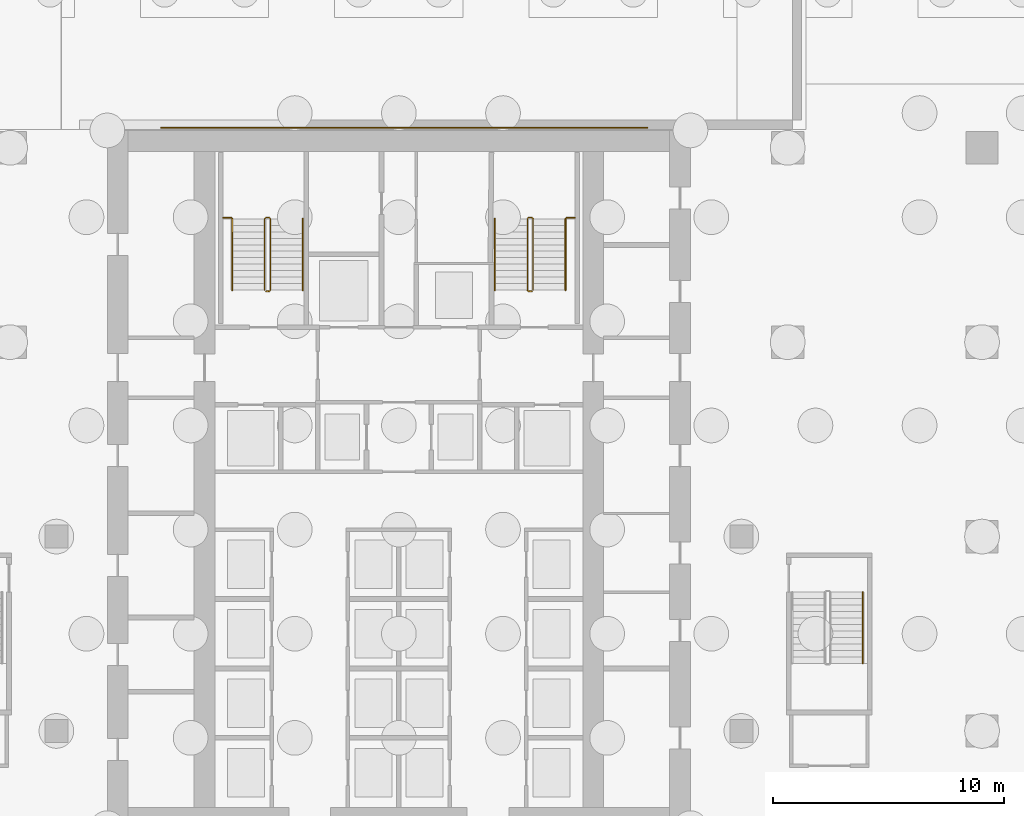
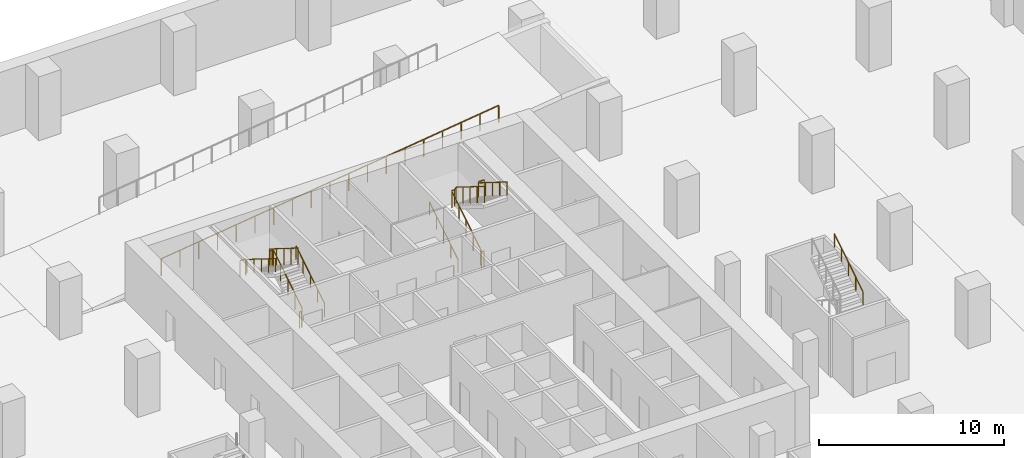
# One storey, part 18 of 22: 10 railings.
"""IFC4 building model written with IfcOpenShell, lengths in metres."""

import ifcopenshell
import ifcopenshell.guid

model = None  # the IFC model being written
_history = None  # IfcOwnerHistory: only IFC2X3 demands one
_inside = {}  # id of a spatial element -> (the spatial element, [elements in it])
_under = {}  # id of a project, library or spatial element -> (it, [spatial elements below it])
_declared = {}  # id of a project -> (the project, [libraries it declares])
_typed = {}  # id of a type object -> (the type object, [elements of that type])
_made_of = {}  # id of a material, layer set ... -> (it, [elements and type objects made of it])


def new_model(schema):
    """Start an empty IFC model of exactly this schema.

    Asked for "IFC4X3", IfcOpenShell would pick the latest addendum, in which some entities
    have other attributes; the version numbers below select the first issue.
    IFC2X3 requires an IfcOwnerHistory on every rooted entity: one is made here for all.
    """
    global model, _history
    if schema == "IFC4X3":
        model = ifcopenshell.file(schema_version=(4, 3, 0, 0))
    else:
        model = ifcopenshell.file(schema=schema)
    _inside.clear()
    _under.clear()
    _declared.clear()
    _typed.clear()
    _made_of.clear()
    _history = None
    if model.schema == "IFC2X3":
        org = make("IfcOrganization", Name="unknown")
        user = make(
            "IfcPersonAndOrganization",
            ThePerson=make("IfcPerson", FamilyName="unknown"),
            TheOrganization=org,
        )
        app = make(
            "IfcApplication",
            ApplicationDeveloper=org,
            Version="unknown",
            ApplicationFullName="unknown",
            ApplicationIdentifier="unknown",
        )
        _history = make(
            "IfcOwnerHistory",
            OwningUser=user,
            OwningApplication=app,
            ChangeAction="ADDED",
            CreationDate=0,
        )
    return model


def make(cls, **values):
    """One entity of the class cls with the attributes given. An attribute that is None is left unset."""
    return model.create_entity(
        cls, **{name: value for name, value in values.items() if value is not None}
    )


def rooted(cls, **values):
    """An entity with a GlobalId (a new one), such as an element, a storey or a relation."""
    return make(cls, GlobalId=ifcopenshell.guid.new(), OwnerHistory=_history, **values)


def si_unit(unit_type, name, prefix=None):
    """IfcSIUnit, for example si_unit("LENGTHUNIT", "METRE", prefix="MILLI")."""
    return make("IfcSIUnit", UnitType=unit_type, Prefix=prefix, Name=name)


def assignment(units):
    """IfcUnitAssignment: the units of a project."""
    return None if units is None else make("IfcUnitAssignment", Units=units)


def point(xyz):
    """IfcCartesianPoint."""
    return None if xyz is None else make("IfcCartesianPoint", Coordinates=xyz)


def direction(xyz):
    """IfcDirection."""
    return None if xyz is None else make("IfcDirection", DirectionRatios=xyz)


def frame(location, z_axis=None, x_axis=None):
    """IfcAxis2Placement3D, a coordinate frame: its origin and axes. An axis left out is left unset."""
    return make(
        "IfcAxis2Placement3D",
        Location=point(location),
        Axis=direction(z_axis),
        RefDirection=direction(x_axis),
    )


def frame_2d(location, x_axis=None):
    """IfcAxis2Placement2D, a coordinate frame in the plane: its origin and x axis."""
    return make(
        "IfcAxis2Placement2D", Location=point(location), RefDirection=direction(x_axis)
    )


def origin():
    """The frame at (0, 0, 0) with its axes left unset."""
    return frame((0.0, 0.0, 0.0))


def origin_2d():
    """The frame at (0, 0) in the plane with its x axis left unset."""
    return frame_2d((0.0, 0.0))


def place(relative_to, where):
    """IfcLocalPlacement: puts the frame where relative to a parent placement (None: the world)."""
    return make(
        "IfcLocalPlacement", PlacementRelTo=relative_to, RelativePlacement=where
    )


def context(
    kind, dimensions, precision=None, world=None, true_north=None, identifier=None
):
    """IfcGeometricRepresentationContext, for example the 3D "Model" context."""
    return make(
        "IfcGeometricRepresentationContext",
        ContextIdentifier=identifier,
        ContextType=kind,
        CoordinateSpaceDimension=dimensions,
        Precision=precision,
        WorldCoordinateSystem=world,
        TrueNorth=true_north,
    )


def subcontext(parent, identifier, kind, view, scale=None):
    """IfcGeometricRepresentationSubContext, for example "Body" below "Model"."""
    return make(
        "IfcGeometricRepresentationSubContext",
        ContextIdentifier=identifier,
        ContextType=kind,
        ParentContext=parent,
        TargetScale=scale,
        TargetView=view,
    )


def project(units=None, contexts=None):
    """IfcProject with its units and contexts."""
    return rooted(
        "IfcProject",
        Name="project",
        RepresentationContexts=contexts,
        UnitsInContext=assignment(units),
    )


def spatial(cls, under=None, at=None, **own):
    """A site, building, storey or space (cls), placed at a placement, below another one or the project."""
    s = rooted(cls, ObjectPlacement=at, **own)
    if under is not None:
        _under.setdefault(under.id(), (under, []))[1].append(s)
    return s


def profile(cls, at=None, kind="AREA", **sizes):
    """A parametric profile (cls). Its sizes go by their IFC names, for example OverallWidth=200.0."""
    return make(cls, ProfileType=kind, Position=at, **sizes)


def rectangle(**sizes):
    """IfcRectangleProfileDef."""
    return profile("IfcRectangleProfileDef", **sizes)


def extrude(swept, where, along, depth):
    """IfcExtrudedAreaSolid: the profile swept, set in the frame where, extruded along a direction by depth."""
    return make(
        "IfcExtrudedAreaSolid",
        SweptArea=swept,
        Position=where,
        ExtrudedDirection=direction(along),
        Depth=depth,
    )


def shape(context_of_items, identifier, shape_type, items):
    """IfcShapeRepresentation: the items that make up one representation, for example the "Body"."""
    return make(
        "IfcShapeRepresentation",
        ContextOfItems=context_of_items,
        RepresentationIdentifier=identifier,
        RepresentationType=shape_type,
        Items=items,
    )


def material(Name=None, Category=None):
    """IfcMaterial."""
    return make("IfcMaterial", Name=Name, Category=Category)


def made_of(thing, what):
    """Note that an element or type object is made of a material, layer set ...; save() writes the relation."""
    if what is not None:
        _made_of.setdefault(what.id(), (what, []))[1].append(thing)
    return thing


def type_object(cls, material=None, **own):
    """A type object (cls), such as IfcWallType, which elements share."""
    return made_of(rooted(cls, **own), material)


def element(
    cls,
    number,
    at=None,
    inside=None,
    cuts=None,
    type_object=None,
    material=None,
    context=None,
    identifier="Body",
    shape_type=None,
    held_by="IfcProductDefinitionShape",
    body=None,
    shapes=None,
    **own,
):
    """One element of the class cls, such as IfcWall. Its Tag is "e" and its number.

    at: its placement. inside: the storey or other place that contains it. cuts: it is an
    opening in that element (IfcRelVoidsElement). A single representation is given by context,
    identifier, shape_type and body (its items); several are given by shapes. held_by: the class
    of the entity that holds the representations. save() writes the other relations.
    """
    e = rooted(cls, Tag="e%d" % number, ObjectPlacement=at, **own)
    if body is not None:
        shapes = [shape(context, identifier, shape_type, body)]
    if shapes is not None:
        e.Representation = make(held_by, Representations=shapes)
    if inside is not None:
        _inside.setdefault(inside.id(), (inside, []))[1].append(e)
    if cuts is not None:
        rooted(
            "IfcRelVoidsElement", RelatingBuildingElement=cuts, RelatedOpeningElement=e
        )
    if type_object is not None:
        _typed.setdefault(type_object.id(), (type_object, []))[1].append(e)
    return made_of(e, material)


def aggregate(whole, parts):
    """IfcRelAggregates: a whole, such as a stair, and the parts it consists of."""
    return rooted("IfcRelAggregates", RelatingObject=whole, RelatedObjects=parts)


def save(model, path):
    """Write the relations noted so far, then the file.

    IfcRelAggregates (storeys below a building ...), IfcRelContainedInSpatialStructure (elements
    in a storey), IfcRelDefinesByType, IfcRelAssociatesMaterial and IfcRelDeclares: one each for
    every whole, place, type object, material and project.
    """
    for whole, parts in _under.values():
        aggregate(whole, parts)
    for where, things in _inside.values():
        rooted(
            "IfcRelContainedInSpatialStructure",
            RelatedElements=things,
            RelatingStructure=where,
        )
    for kind, things in _typed.values():
        rooted("IfcRelDefinesByType", RelatedObjects=things, RelatingType=kind)
    for what, things in _made_of.values():
        rooted("IfcRelAssociatesMaterial", RelatedObjects=things, RelatingMaterial=what)
    for by, libraries in _declared.values():
        rooted("IfcRelDeclares", RelatingContext=by, RelatedDefinitions=libraries)
    model.write(path)


model = new_model("IFC4")

# Units and contexts
model_context = context("Model", 3, precision=1e-05, world=origin(), true_north=direction((0.0, 1.0)))
body_context = subcontext(model_context, "Body", "Model", "MODEL_VIEW")
ifc_project = project(units=[si_unit("LENGTHUNIT", "METRE"), si_unit("AREAUNIT", "SQUARE_METRE"), si_unit("VOLUMEUNIT", "CUBIC_METRE"), si_unit("PLANEANGLEUNIT", "RADIAN"), si_unit("MASSUNIT", "GRAM", prefix="KILO")], contexts=[model_context])

# Site, building, storey
site_placement = place(None, origin())
site = spatial("IfcSite", under=ifc_project, at=site_placement, CompositionType="ELEMENT")
building_placement = place(site_placement, origin())
building = spatial("IfcBuilding", under=site, at=building_placement, Name="Vermilion Ogive Tower", CompositionType="ELEMENT")
storey_placement = place(building_placement, frame((0.0, 0.0, -8.39990234375)))
storey = spatial("IfcBuildingStorey", under=building, at=storey_placement, Name="B2", CompositionType="ELEMENT", Elevation=-8.39990234375)

# Railings
ifc_material_1 = material(Name="Stainless steel", Category="steel")
railing_type_1 = type_object("IfcRailingType", Name="Ramp guard RG1", PredefinedType="GUARDRAIL", material=ifc_material_1)
railing_1_placement = place(storey_placement, frame((-10.2734375, 21.860107421875, 0.760009765625)))
element("IfcRailing", 1, at=railing_1_placement, inside=storey, type_object=railing_type_1, Name="Ramp guard RB R", PredefinedType="GUARDRAIL", context=body_context, shape_type="SweptSolid", body=[
    extrude(rectangle(XDim=0.050048828125, YDim=0.050048828125, at=origin_2d()), frame((0.0, 0.0, 1.125), z_axis=(0.991600603972, 0.0, 0.129337706038), x_axis=(0.0, 1.0, 0.0)), (0.0, 0.0, 1.0), 21.184814453125),
    extrude(rectangle(XDim=0.050048828125, YDim=0.050048828125, at=origin_2d()), origin(), (0.0, 0.0, 1.0), 1.099853515625),
    extrude(rectangle(XDim=0.050048828125, YDim=0.050048828125, at=origin_2d()), frame((1.1669921875, 0.0, 0.15234375)), (0.0, 0.0, 1.0), 1.099853515625),
    extrude(rectangle(XDim=0.050048828125, YDim=0.050048828125, at=origin_2d()), frame((2.333984375, 0.0, 0.304443359375)), (0.0, 0.0, 1.0), 1.099853515625),
    extrude(rectangle(XDim=0.050048828125, YDim=0.050048828125, at=origin_2d()), frame((3.501220703125, 0.0, 0.45654296875)), (0.0, 0.0, 1.0), 1.099853515625),
    extrude(rectangle(XDim=0.050048828125, YDim=0.050048828125, at=origin_2d()), frame((4.668212890625, 0.0, 0.60888671875)), (0.0, 0.0, 1.0), 1.099853515625),
    extrude(rectangle(XDim=0.050048828125, YDim=0.050048828125, at=origin_2d()), frame((5.835205078125, 0.0, 0.76123046875)), (0.0, 0.0, 1.0), 1.099853515625),
    extrude(rectangle(XDim=0.050048828125, YDim=0.050048828125, at=origin_2d()), frame((7.002197265625, 0.0, 0.913330078125)), (0.0, 0.0, 1.0), 1.099853515625),
    extrude(rectangle(XDim=0.050048828125, YDim=0.050048828125, at=origin_2d()), frame((8.16943359375, 0.0, 1.0654296875)), (0.0, 0.0, 1.0), 1.099853515625),
    extrude(rectangle(XDim=0.050048828125, YDim=0.050048828125, at=origin_2d()), frame((9.33642578125, 0.0, 1.2177734375)), (0.0, 0.0, 1.0), 1.099853515625),
    extrude(rectangle(XDim=0.050048828125, YDim=0.050048828125, at=origin_2d()), frame((10.50341796875, 0.0, 1.3701171875)), (0.0, 0.0, 1.0), 1.099853515625),
    extrude(rectangle(XDim=0.050048828125, YDim=0.050048828125, at=origin_2d()), frame((11.67041015625, 0.0, 1.522216796875)), (0.0, 0.0, 1.0), 1.099853515625),
    extrude(rectangle(XDim=0.050048828125, YDim=0.050048828125, at=origin_2d()), frame((12.83740234375, 0.0, 1.674560546875)), (0.0, 0.0, 1.0), 1.099853515625),
    extrude(rectangle(XDim=0.050048828125, YDim=0.050048828125, at=origin_2d()), frame((14.004638671875, 0.0, 1.82666015625)), (0.0, 0.0, 1.0), 1.099853515625),
    extrude(rectangle(XDim=0.050048828125, YDim=0.050048828125, at=origin_2d()), frame((15.171630859375, 0.0, 1.97900390625)), (0.0, 0.0, 1.0), 1.099853515625),
    extrude(rectangle(XDim=0.050048828125, YDim=0.050048828125, at=origin_2d()), frame((16.338623046875, 0.0, 2.131103515625)), (0.0, 0.0, 1.0), 1.099853515625),
    extrude(rectangle(XDim=0.050048828125, YDim=0.050048828125, at=origin_2d()), frame((17.505615234375, 0.0, 2.283203125)), (0.0, 0.0, 1.0), 1.099853515625),
    extrude(rectangle(XDim=0.050048828125, YDim=0.050048828125, at=origin_2d()), frame((18.6728515625, 0.0, 2.435546875)), (0.0, 0.0, 1.0), 1.099853515625),
    extrude(rectangle(XDim=0.050048828125, YDim=0.050048828125, at=origin_2d()), frame((19.83984375, 0.0, 2.587890625)), (0.0, 0.0, 1.0), 1.099853515625),
    extrude(rectangle(XDim=0.050048828125, YDim=0.050048828125, at=origin_2d()), frame((21.0068359375, 0.0, 2.739990234375)), (0.0, 0.0, 1.0), 1.099853515625),
])
ifc_material_2 = material(Name="Steel S355 painted", Category="steel")
railing_type_2 = type_object("IfcRailingType", Name="Stair guard 1100", PredefinedType="GUARDRAIL", material=ifc_material_2)
railing_2_placement = place(storey_placement, frame((-5.75, 14.800048828125, 0.0)))
element("IfcRailing", 2, at=railing_2_placement, inside=storey, type_object=railing_type_2, Name="B2 ST1 stair guard 4", PredefinedType="GUARDRAIL", context=body_context, shape_type="SweptSolid", body=[
    extrude(rectangle(XDim=0.048095703125, YDim=0.048095703125, at=origin_2d()), frame((0.0, 0.0, 1.076171875), z_axis=(1.0, 0.0, 0.0), x_axis=(0.0, 1.0, 0.0)), (0.0, 0.0, 1.0), 0.14990234375),
    extrude(rectangle(XDim=0.048095703125, YDim=0.048095703125, at=origin_2d()), frame((0.14990234375, 0.0, 1.076171875), z_axis=(0.265383341853, 0.265383341853, 0.926899867156), x_axis=(-0.707106781187, 0.707106781187, 0.0)), (0.0, 0.0, 1.0), 0.1884765625),
    extrude(rectangle(XDim=0.048095703125, YDim=0.048095703125, at=origin_2d()), frame((0.199951171875, 0.050048828125, 1.2509765625), z_axis=(0.0, 0.847979421464, 0.530029150871), x_axis=(-1.0, 0.0, 0.0)), (0.0, 0.0, 1.0), 3.632080078125),
    extrude(rectangle(XDim=0.048095703125, YDim=0.048095703125, at=origin_2d()), frame((0.199951171875, 3.1298828125, 3.17578125), z_axis=(-0.707106781187, 0.707106781187, 0.0), x_axis=(-0.707106781187, -0.707106781187, 0.0)), (0.0, 0.0, 1.0), 0.07080078125),
    extrude(rectangle(XDim=0.048095703125, YDim=0.048095703125, at=origin_2d()), frame((0.14990234375, 3.179931640625, 3.17578125), z_axis=(-1.0, 0.0, 0.0), x_axis=(0.0, -1.0, 0.0)), (0.0, 0.0, 1.0), 0.14990234375),
    extrude(rectangle(XDim=0.048095703125, YDim=0.048095703125, at=origin_2d()), frame((0.0, 3.179931640625, 3.17578125), z_axis=(-0.265065253269, -0.265065253269, 0.927081885822), x_axis=(0.707106781187, -0.707106781187, 0.0)), (0.0, 0.0, 1.0), 0.188720703125),
    extrude(rectangle(XDim=0.048095703125, YDim=0.048095703125, at=origin_2d()), frame((-0.050048828125, 3.1298828125, 3.35107421875), z_axis=(0.0, -0.847979421464, 0.530029150871), x_axis=(1.0, 0.0, 0.0)), (0.0, 0.0, 1.0), 3.632080078125),
    extrude(rectangle(XDim=0.0419921875, YDim=0.0419921875, at=origin_2d()), origin(), (0.0, 0.0, 1.0), 1.052001953125),
    extrude(rectangle(XDim=0.0419921875, YDim=0.0419921875, at=origin_2d()), frame((0.14990234375, 0.0, 0.0)), (0.0, 0.0, 1.0), 1.052001953125),
    extrude(rectangle(XDim=0.0419921875, YDim=0.0419921875, at=origin_2d()), frame((0.199951171875, 0.050048828125, 0.1748046875)), (0.0, 0.0, 1.0), 1.052001953125),
    extrude(rectangle(XDim=0.0419921875, YDim=0.0419921875, at=origin_2d()), frame((0.199951171875, 0.820068359375, 0.656005859375)), (0.0, 0.0, 1.0), 1.052001953125),
    extrude(rectangle(XDim=0.0419921875, YDim=0.0419921875, at=origin_2d()), frame((0.199951171875, 1.58984375, 1.13720703125)), (0.0, 0.0, 1.0), 1.052001953125),
    extrude(rectangle(XDim=0.0419921875, YDim=0.0419921875, at=origin_2d()), frame((0.199951171875, 2.35986328125, 1.61865234375)), (0.0, 0.0, 1.0), 1.052001953125),
    extrude(rectangle(XDim=0.0419921875, YDim=0.0419921875, at=origin_2d()), frame((0.199951171875, 3.1298828125, 2.099853515625)), (0.0, 0.0, 1.0), 1.052001953125),
    extrude(rectangle(XDim=0.0419921875, YDim=0.0419921875, at=origin_2d()), frame((0.14990234375, 3.179931640625, 2.099853515625)), (0.0, 0.0, 1.0), 1.052001953125),
    extrude(rectangle(XDim=0.0419921875, YDim=0.0419921875, at=origin_2d()), frame((0.0, 3.179931640625, 2.099853515625)), (0.0, 0.0, 1.0), 1.052001953125),
    extrude(rectangle(XDim=0.0419921875, YDim=0.0419921875, at=origin_2d()), frame((-0.050048828125, 3.1298828125, 2.27490234375)), (0.0, 0.0, 1.0), 1.052001953125),
    extrude(rectangle(XDim=0.0419921875, YDim=0.0419921875, at=origin_2d()), frame((-0.050048828125, 2.35986328125, 2.756103515625)), (0.0, 0.0, 1.0), 1.052001953125),
    extrude(rectangle(XDim=0.0419921875, YDim=0.0419921875, at=origin_2d()), frame((-0.050048828125, 1.58984375, 3.2373046875)), (0.0, 0.0, 1.0), 1.052001953125),
    extrude(rectangle(XDim=0.0419921875, YDim=0.0419921875, at=origin_2d()), frame((-0.050048828125, 0.820068359375, 3.71875)), (0.0, 0.0, 1.0), 1.052001953125),
    extrude(rectangle(XDim=0.0419921875, YDim=0.0419921875, at=origin_2d()), frame((-0.050048828125, 0.050048828125, 4.199951171875)), (0.0, 0.0, 1.0), 1.052001953125),
])
railing_3_placement = place(storey_placement, frame((5.75, 14.800048828125, 0.0)))
element("IfcRailing", 3, at=railing_3_placement, inside=storey, type_object=railing_type_2, Name="B2 ST2 stair guard 4", PredefinedType="GUARDRAIL", context=body_context, shape_type="SweptSolid", body=[
    extrude(rectangle(XDim=0.048095703125, YDim=0.048095703125, at=origin_2d()), frame((0.0, 0.0, 1.076171875), z_axis=(-1.0, 0.0, 0.0), x_axis=(0.0, -1.0, 0.0)), (0.0, 0.0, 1.0), 0.14990234375),
    extrude(rectangle(XDim=0.048095703125, YDim=0.048095703125, at=origin_2d()), frame((-0.14990234375, 0.0, 1.076171875), z_axis=(-0.265383341853, 0.265383341853, 0.926899867156), x_axis=(-0.707106781187, -0.707106781187, 0.0)), (0.0, 0.0, 1.0), 0.1884765625),
    extrude(rectangle(XDim=0.048095703125, YDim=0.048095703125, at=origin_2d()), frame((-0.199951171875, 0.050048828125, 1.2509765625), z_axis=(0.0, 0.847979421464, 0.530029150871), x_axis=(-1.0, 0.0, 0.0)), (0.0, 0.0, 1.0), 3.632080078125),
    extrude(rectangle(XDim=0.048095703125, YDim=0.048095703125, at=origin_2d()), frame((-0.199951171875, 3.1298828125, 3.17578125), z_axis=(0.707106781187, 0.707106781187, 0.0), x_axis=(-0.707106781187, 0.707106781187, 0.0)), (0.0, 0.0, 1.0), 0.07080078125),
    extrude(rectangle(XDim=0.048095703125, YDim=0.048095703125, at=origin_2d()), frame((-0.14990234375, 3.179931640625, 3.17578125), z_axis=(1.0, 0.0, 0.0), x_axis=(0.0, 1.0, 0.0)), (0.0, 0.0, 1.0), 0.14990234375),
    extrude(rectangle(XDim=0.048095703125, YDim=0.048095703125, at=origin_2d()), frame((0.0, 3.179931640625, 3.17578125), z_axis=(0.265065253269, -0.265065253269, 0.927081885822), x_axis=(0.707106781187, 0.707106781187, 0.0)), (0.0, 0.0, 1.0), 0.188720703125),
    extrude(rectangle(XDim=0.048095703125, YDim=0.048095703125, at=origin_2d()), frame((0.050048828125, 3.1298828125, 3.35107421875), z_axis=(0.0, -0.847979421464, 0.530029150871), x_axis=(1.0, 0.0, 0.0)), (0.0, 0.0, 1.0), 3.632080078125),
    extrude(rectangle(XDim=0.0419921875, YDim=0.0419921875, at=origin_2d()), origin(), (0.0, 0.0, 1.0), 1.052001953125),
    extrude(rectangle(XDim=0.0419921875, YDim=0.0419921875, at=origin_2d()), frame((-0.14990234375, 0.0, 0.0)), (0.0, 0.0, 1.0), 1.052001953125),
    extrude(rectangle(XDim=0.0419921875, YDim=0.0419921875, at=origin_2d()), frame((-0.199951171875, 0.050048828125, 0.1748046875)), (0.0, 0.0, 1.0), 1.052001953125),
    extrude(rectangle(XDim=0.0419921875, YDim=0.0419921875, at=origin_2d()), frame((-0.199951171875, 0.820068359375, 0.656005859375)), (0.0, 0.0, 1.0), 1.052001953125),
    extrude(rectangle(XDim=0.0419921875, YDim=0.0419921875, at=origin_2d()), frame((-0.199951171875, 1.58984375, 1.13720703125)), (0.0, 0.0, 1.0), 1.052001953125),
    extrude(rectangle(XDim=0.0419921875, YDim=0.0419921875, at=origin_2d()), frame((-0.199951171875, 2.35986328125, 1.61865234375)), (0.0, 0.0, 1.0), 1.052001953125),
    extrude(rectangle(XDim=0.0419921875, YDim=0.0419921875, at=origin_2d()), frame((-0.199951171875, 3.1298828125, 2.099853515625)), (0.0, 0.0, 1.0), 1.052001953125),
    extrude(rectangle(XDim=0.0419921875, YDim=0.0419921875, at=origin_2d()), frame((-0.14990234375, 3.179931640625, 2.099853515625)), (0.0, 0.0, 1.0), 1.052001953125),
    extrude(rectangle(XDim=0.0419921875, YDim=0.0419921875, at=origin_2d()), frame((0.0, 3.179931640625, 2.099853515625)), (0.0, 0.0, 1.0), 1.052001953125),
    extrude(rectangle(XDim=0.0419921875, YDim=0.0419921875, at=origin_2d()), frame((0.050048828125, 3.1298828125, 2.27490234375)), (0.0, 0.0, 1.0), 1.052001953125),
    extrude(rectangle(XDim=0.0419921875, YDim=0.0419921875, at=origin_2d()), frame((0.050048828125, 2.35986328125, 2.756103515625)), (0.0, 0.0, 1.0), 1.052001953125),
    extrude(rectangle(XDim=0.0419921875, YDim=0.0419921875, at=origin_2d()), frame((0.050048828125, 1.58984375, 3.2373046875)), (0.0, 0.0, 1.0), 1.052001953125),
    extrude(rectangle(XDim=0.0419921875, YDim=0.0419921875, at=origin_2d()), frame((0.050048828125, 0.820068359375, 3.71875)), (0.0, 0.0, 1.0), 1.052001953125),
    extrude(rectangle(XDim=0.0419921875, YDim=0.0419921875, at=origin_2d()), frame((0.050048828125, 0.050048828125, 4.199951171875)), (0.0, 0.0, 1.0), 1.052001953125),
])
for number, where, name in (
    (4, (-7.60009765625, 17.97998046875, 2.099853515625), "B2 landing guard"),
    (5, (7.25, 17.97998046875, 2.099853515625), "B2 landing guard"),
):
    element("IfcRailing", number, at=place(storey_placement, frame(where)), inside=storey, type_object=railing_type_2, Name=name, PredefinedType="GUARDRAIL", context=body_context, shape_type="SweptSolid", body=[
        extrude(rectangle(XDim=0.048095703125, YDim=0.048095703125, at=origin_2d()), frame((0.0, 0.0, 1.076171875), z_axis=(1.0, 0.0, 0.0), x_axis=(0.0, 1.0, 0.0)), (0.0, 0.0, 1.0), 0.35009765625),
        extrude(rectangle(XDim=0.0419921875, YDim=0.0419921875, at=origin_2d()), origin(), (0.0, 0.0, 1.0), 1.052001953125),
        extrude(rectangle(XDim=0.0419921875, YDim=0.0419921875, at=origin_2d()), frame((0.35009765625, 0.0, 0.0)), (0.0, 0.0, 1.0), 1.052001953125),
    ])
ifc_material_3 = material(Name="Stainless steel", Category="steel")
railing_type_3 = type_object("IfcRailingType", Name="Stair handrail 900", PredefinedType="HANDRAIL", material=ifc_material_3)
railing_4_placement = place(storey_placement, frame((-4.14990234375, 14.85009765625, 0.1748046875)))
element("IfcRailing", 6, at=railing_4_placement, inside=storey, type_object=railing_type_3, Name="B2 ST1 stair handrail 1", PredefinedType="HANDRAIL", context=body_context, shape_type="SweptSolid", body=[
    extrude(rectangle(XDim=0.048095703125, YDim=0.048095703125, at=origin_2d()), frame((0.0, 0.0, 0.8759765625), z_axis=(0.0, 0.847979421464, 0.530029150871), x_axis=(-1.0, 0.0, 0.0)), (0.0, 0.0, 1.0), 3.632080078125),
    extrude(rectangle(XDim=0.0419921875, YDim=0.0419921875, at=origin_2d()), origin(), (0.0, 0.0, 1.0), 0.851806640625),
    extrude(rectangle(XDim=0.0419921875, YDim=0.0419921875, at=origin_2d()), frame((0.0, 0.77001953125, 0.481201171875)), (0.0, 0.0, 1.0), 0.851806640625),
    extrude(rectangle(XDim=0.0419921875, YDim=0.0419921875, at=origin_2d()), frame((0.0, 1.5400390625, 0.96240234375)), (0.0, 0.0, 1.0), 0.851806640625),
    extrude(rectangle(XDim=0.0419921875, YDim=0.0419921875, at=origin_2d()), frame((0.0, 2.309814453125, 1.44384765625)), (0.0, 0.0, 1.0), 0.851806640625),
    extrude(rectangle(XDim=0.0419921875, YDim=0.0419921875, at=origin_2d()), frame((0.0, 3.079833984375, 1.925048828125)), (0.0, 0.0, 1.0), 0.851806640625),
])
railing_5_placement = place(storey_placement, frame((-7.199951171875, 17.929931640625, 2.27490234375)))
element("IfcRailing", 7, at=railing_5_placement, inside=storey, type_object=railing_type_3, Name="B2 ST1 stair handrail 2", PredefinedType="HANDRAIL", context=body_context, shape_type="SweptSolid", body=[
    extrude(rectangle(XDim=0.048095703125, YDim=0.048095703125, at=origin_2d()), frame((0.0, 0.0, 0.8759765625), z_axis=(0.0, -0.847979421464, 0.530029150871), x_axis=(1.0, 0.0, 0.0)), (0.0, 0.0, 1.0), 3.632080078125),
    extrude(rectangle(XDim=0.0419921875, YDim=0.0419921875, at=origin_2d()), origin(), (0.0, 0.0, 1.0), 0.851806640625),
    extrude(rectangle(XDim=0.0419921875, YDim=0.0419921875, at=origin_2d()), frame((0.0, -0.77001953125, 0.481201171875)), (0.0, 0.0, 1.0), 0.851806640625),
    extrude(rectangle(XDim=0.0419921875, YDim=0.0419921875, at=origin_2d()), frame((0.0, -1.5400390625, 0.96240234375)), (0.0, 0.0, 1.0), 0.851806640625),
    extrude(rectangle(XDim=0.0419921875, YDim=0.0419921875, at=origin_2d()), frame((0.0, -2.309814453125, 1.44384765625)), (0.0, 0.0, 1.0), 0.851806640625),
    extrude(rectangle(XDim=0.0419921875, YDim=0.0419921875, at=origin_2d()), frame((0.0, -3.079833984375, 1.925048828125)), (0.0, 0.0, 1.0), 0.851806640625),
])
railing_6_placement = place(storey_placement, frame((4.14990234375, 14.85009765625, 0.1748046875)))
element("IfcRailing", 8, at=railing_6_placement, inside=storey, type_object=railing_type_3, Name="B2 ST2 stair handrail 1", PredefinedType="HANDRAIL", context=body_context, shape_type="SweptSolid", body=[
    extrude(rectangle(XDim=0.048095703125, YDim=0.048095703125, at=origin_2d()), frame((0.0, 0.0, 0.8759765625), z_axis=(0.0, 0.847979421464, 0.530029150871), x_axis=(-1.0, 0.0, 0.0)), (0.0, 0.0, 1.0), 3.632080078125),
    extrude(rectangle(XDim=0.0419921875, YDim=0.0419921875, at=origin_2d()), origin(), (0.0, 0.0, 1.0), 0.851806640625),
    extrude(rectangle(XDim=0.0419921875, YDim=0.0419921875, at=origin_2d()), frame((0.0, 0.77001953125, 0.481201171875)), (0.0, 0.0, 1.0), 0.851806640625),
    extrude(rectangle(XDim=0.0419921875, YDim=0.0419921875, at=origin_2d()), frame((0.0, 1.5400390625, 0.96240234375)), (0.0, 0.0, 1.0), 0.851806640625),
    extrude(rectangle(XDim=0.0419921875, YDim=0.0419921875, at=origin_2d()), frame((0.0, 2.309814453125, 1.44384765625)), (0.0, 0.0, 1.0), 0.851806640625),
    extrude(rectangle(XDim=0.0419921875, YDim=0.0419921875, at=origin_2d()), frame((0.0, 3.079833984375, 1.925048828125)), (0.0, 0.0, 1.0), 0.851806640625),
])
railing_7_placement = place(storey_placement, frame((7.199951171875, 17.929931640625, 2.27490234375)))
element("IfcRailing", 9, at=railing_7_placement, inside=storey, type_object=railing_type_3, Name="B2 ST2 stair handrail 2", PredefinedType="HANDRAIL", context=body_context, shape_type="SweptSolid", body=[
    extrude(rectangle(XDim=0.048095703125, YDim=0.048095703125, at=origin_2d()), frame((0.0, 0.0, 0.8759765625), z_axis=(0.0, -0.847979421464, 0.530029150871), x_axis=(1.0, 0.0, 0.0)), (0.0, 0.0, 1.0), 3.632080078125),
    extrude(rectangle(XDim=0.0419921875, YDim=0.0419921875, at=origin_2d()), origin(), (0.0, 0.0, 1.0), 0.851806640625),
    extrude(rectangle(XDim=0.0419921875, YDim=0.0419921875, at=origin_2d()), frame((0.0, -0.77001953125, 0.481201171875)), (0.0, 0.0, 1.0), 0.851806640625),
    extrude(rectangle(XDim=0.0419921875, YDim=0.0419921875, at=origin_2d()), frame((0.0, -1.5400390625, 0.96240234375)), (0.0, 0.0, 1.0), 0.851806640625),
    extrude(rectangle(XDim=0.0419921875, YDim=0.0419921875, at=origin_2d()), frame((0.0, -2.309814453125, 1.44384765625)), (0.0, 0.0, 1.0), 0.851806640625),
    extrude(rectangle(XDim=0.0419921875, YDim=0.0419921875, at=origin_2d()), frame((0.0, -3.079833984375, 1.925048828125)), (0.0, 0.0, 1.0), 0.851806640625),
])
railing_8_placement = place(storey_placement, frame((20.050048828125, -1.280029296875, 2.27490234375)))
element("IfcRailing", 10, at=railing_8_placement, inside=storey, type_object=railing_type_3, Name="B2 ST8 stair handrail 2", PredefinedType="HANDRAIL", context=body_context, shape_type="SweptSolid", body=[
    extrude(rectangle(XDim=0.048095703125, YDim=0.048095703125, at=origin_2d()), frame((0.0, 0.0, 0.8759765625), z_axis=(0.0, 0.847998304005, 0.529998940003), x_axis=(-1.0, 0.0, 0.0)), (0.0, 0.0, 1.0), 3.632080078125),
    extrude(rectangle(XDim=0.0419921875, YDim=0.0419921875, at=origin_2d()), origin(), (0.0, 0.0, 1.0), 0.851806640625),
    extrude(rectangle(XDim=0.0419921875, YDim=0.0419921875, at=origin_2d()), frame((0.0, 0.77001953125, 0.481201171875)), (0.0, 0.0, 1.0), 0.851806640625),
    extrude(rectangle(XDim=0.0419921875, YDim=0.0419921875, at=origin_2d()), frame((0.0, 1.5400390625, 0.96240234375)), (0.0, 0.0, 1.0), 0.851806640625),
    extrude(rectangle(XDim=0.0419921875, YDim=0.0419921875, at=origin_2d()), frame((0.0, 2.31005859375, 1.44384765625)), (0.0, 0.0, 1.0), 0.851806640625),
    extrude(rectangle(XDim=0.0419921875, YDim=0.0419921875, at=origin_2d()), frame((0.0, 3.080078125, 1.925048828125)), (0.0, 0.0, 1.0), 0.851806640625),
])

save(model, "model.ifc")
